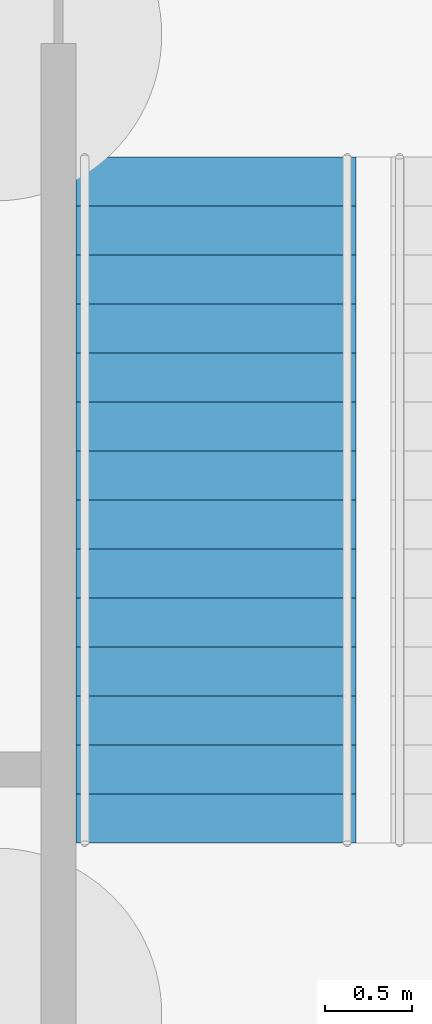
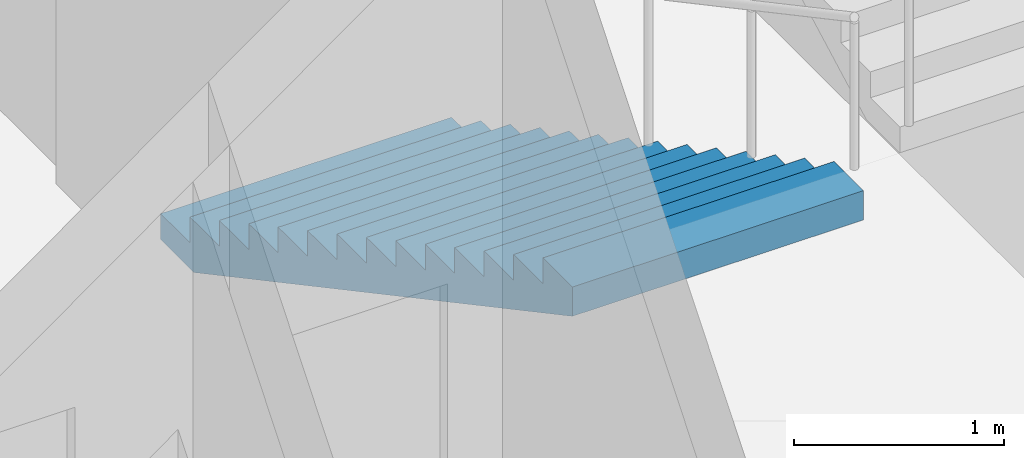
# One storey, part 100 of 113: 1 stair flight, 1 element without a shape of its own.
"""IFC4 building model written with IfcOpenShell, lengths in metres."""

from ifc_helpers import new_model, si_unit, direction, frame, origin, place, context, subcontext, project, spatial, triangles, material, type_object, element, aggregate, save


model = new_model("IFC4")

# Units and contexts
model_context = context("Model", 3, precision=1e-05, world=origin(), true_north=direction((0.0, 1.0)))
body_context = subcontext(model_context, "Body", "Model", "MODEL_VIEW")
ifc_project = project(units=[si_unit("LENGTHUNIT", "METRE"), si_unit("AREAUNIT", "SQUARE_METRE"), si_unit("VOLUMEUNIT", "CUBIC_METRE"), si_unit("PLANEANGLEUNIT", "RADIAN"), si_unit("MASSUNIT", "GRAM", prefix="KILO")], contexts=[model_context])

# Site, building, storey
site_placement = place(None, origin())
site = spatial("IfcSite", under=ifc_project, at=site_placement, CompositionType="ELEMENT")
building_placement = place(site_placement, origin())
building = spatial("IfcBuilding", under=site, at=building_placement, Name="Hakoniwa Tower and Hamabe Station Hall", CompositionType="ELEMENT")
storey_placement = place(building_placement, origin())
storey = spatial("IfcBuildingStorey", under=building, at=storey_placement, Name="L01", CompositionType="ELEMENT", Elevation=0.0)

# Stair, stair flight
ifc_material_1 = material(Name="Concrete C40", Category="concrete")
stair_type = type_object("IfcStairType", Name="STAIR 1600 15X150", PredefinedType="HALF_TURN_STAIR", material=ifc_material_1)
stair_placement = place(storey_placement, origin())
stair = element("IfcStair", 1, at=stair_placement, inside=storey, type_object=stair_type, Name="Escape stair SS4 L01", PredefinedType="HALF_TURN_STAIR")
ifc_material_2 = material(Name="Concrete C40", Category="concrete")
stair_flight_type = type_object("IfcStairFlightType", Name="STAIR FLIGHT 1600", PredefinedType="STRAIGHT", material=ifc_material_2)
stair_flight_placement = place(storey_placement, frame((165.85009765625, -16.89990234375, 0.0), z_axis=(0.0, 0.0, 1.0), x_axis=(0.0, -1.0, 0.0)))
stair_flight = element("IfcStairFlight", 2, at=stair_flight_placement, type_object=stair_flight_type, Name="SS4 flight 1", NumberOfRisers=15, NumberOfTreads=14, PredefinedType="STRAIGHT", RiserHeight=0.15, TreadLength=0.28, context=body_context, shape_type="Tessellation", body=[
    triangles([(0.0, 0.800048828125, 0.0), (0.280029296875, 0.800048828125, 0.0), (0.3173828125, 0.800048828125, 0.0), (0.56005859375, 0.800048828125, 0.1298828125), (0.840087890625, 0.800048828125, 0.280029296875), (1.1201171875, 0.800048828125, 0.429931640625), (1.39990234375, 0.800048828125, 0.579833984375), (1.679931640625, 0.800048828125, 0.72998046875), (1.9599609375, 0.800048828125, 0.8798828125), (2.239990234375, 0.800048828125, 1.030029296875), (2.52001953125, 0.800048828125, 1.179931640625), (2.800048828125, 0.800048828125, 1.329833984375), (3.080078125, 0.800048828125, 1.47998046875), (3.360107421875, 0.800048828125, 1.6298828125), (3.639892578125, 0.800048828125, 1.780029296875), (3.919921875, 0.800048828125, 1.929931640625), (3.919921875, 0.800048828125, 2.10009765625), (3.639892578125, 0.800048828125, 2.10009765625), (3.639892578125, 0.800048828125, 1.949951171875), (3.360107421875, 0.800048828125, 1.949951171875), (3.360107421875, 0.800048828125, 1.800048828125), (3.080078125, 0.800048828125, 1.800048828125), (3.080078125, 0.800048828125, 1.64990234375), (2.800048828125, 0.800048828125, 1.64990234375), (2.800048828125, 0.800048828125, 1.5), (2.52001953125, 0.800048828125, 1.5), (2.52001953125, 0.800048828125, 1.35009765625), (2.239990234375, 0.800048828125, 1.35009765625), (2.239990234375, 0.800048828125, 1.199951171875), (1.9599609375, 0.800048828125, 1.199951171875), (1.9599609375, 0.800048828125, 1.050048828125), (1.679931640625, 0.800048828125, 1.050048828125), (1.679931640625, 0.800048828125, 0.89990234375), (1.39990234375, 0.800048828125, 0.89990234375), (1.39990234375, 0.800048828125, 0.75), (1.1201171875, 0.800048828125, 0.75), (1.1201171875, 0.800048828125, 0.60009765625), (0.840087890625, 0.800048828125, 0.60009765625), (0.840087890625, 0.800048828125, 0.449951171875), (0.56005859375, 0.800048828125, 0.449951171875), (0.56005859375, 0.800048828125, 0.300048828125), (0.3173828125, 0.800048828125, 0.300048828125), (0.280029296875, 0.800048828125, 0.300048828125), (0.280029296875, 0.800048828125, 0.14990234375), (0.0, 0.800048828125, 0.14990234375), (0.0, 0.06005859375, 0.0), (0.280029296875, 0.06005859375, 0.0), (0.3173828125, 0.06005859375, 0.0), (0.56005859375, 0.06005859375, 0.1298828125), (0.840087890625, 0.06005859375, 0.280029296875), (1.1201171875, 0.06005859375, 0.429931640625), (1.39990234375, 0.06005859375, 0.579833984375), (1.679931640625, 0.06005859375, 0.72998046875), (1.9599609375, 0.06005859375, 0.8798828125), (2.239990234375, 0.06005859375, 1.030029296875), (2.52001953125, 0.06005859375, 1.179931640625), (2.800048828125, 0.06005859375, 1.329833984375), (3.080078125, 0.06005859375, 1.47998046875), (3.360107421875, 0.06005859375, 1.6298828125), (3.639892578125, 0.06005859375, 1.780029296875), (3.919921875, 0.06005859375, 1.929931640625), (3.919921875, 0.06005859375, 2.10009765625), (3.639892578125, 0.06005859375, 2.10009765625), (3.639892578125, 0.06005859375, 1.949951171875), (3.360107421875, 0.06005859375, 1.949951171875), (3.360107421875, 0.06005859375, 1.800048828125), (3.080078125, 0.06005859375, 1.800048828125), (3.080078125, 0.06005859375, 1.64990234375), (2.800048828125, 0.06005859375, 1.64990234375), (2.800048828125, 0.06005859375, 1.5), (2.52001953125, 0.06005859375, 1.5), (2.52001953125, 0.06005859375, 1.35009765625), (2.239990234375, 0.06005859375, 1.35009765625), (2.239990234375, 0.06005859375, 1.199951171875), (1.9599609375, 0.06005859375, 1.199951171875), (1.9599609375, 0.06005859375, 1.050048828125), (1.679931640625, 0.06005859375, 1.050048828125), (1.679931640625, 0.06005859375, 0.89990234375), (1.39990234375, 0.06005859375, 0.89990234375), (1.39990234375, 0.06005859375, 0.75), (1.1201171875, 0.06005859375, 0.75), (1.1201171875, 0.06005859375, 0.60009765625), (0.840087890625, 0.06005859375, 0.60009765625), (0.840087890625, 0.06005859375, 0.449951171875), (0.56005859375, 0.06005859375, 0.449951171875), (0.56005859375, 0.06005859375, 0.300048828125), (0.3173828125, 0.06005859375, 0.300048828125), (0.280029296875, 0.06005859375, 0.300048828125), (0.280029296875, 0.06005859375, 0.14990234375), (0.0, 0.06005859375, 0.14990234375), (0.0, 0.02001953125, 0.0), (0.280029296875, 0.02001953125, 0.0), (0.3173828125, 0.02001953125, 0.0), (0.56005859375, 0.02001953125, 0.1298828125), (0.840087890625, 0.02001953125, 0.280029296875), (1.1201171875, 0.02001953125, 0.429931640625), (1.39990234375, 0.02001953125, 0.579833984375), (1.679931640625, 0.02001953125, 0.72998046875), (1.9599609375, 0.02001953125, 0.8798828125), (2.239990234375, 0.02001953125, 1.030029296875), (2.52001953125, 0.02001953125, 1.179931640625), (2.800048828125, 0.02001953125, 1.329833984375), (3.080078125, 0.02001953125, 1.47998046875), (3.360107421875, 0.02001953125, 1.6298828125), (3.639892578125, 0.02001953125, 1.780029296875), (3.919921875, 0.02001953125, 1.929931640625), (3.919921875, 0.02001953125, 2.10009765625), (3.639892578125, 0.02001953125, 2.10009765625), (3.639892578125, 0.02001953125, 1.949951171875), (3.360107421875, 0.02001953125, 1.949951171875), (3.360107421875, 0.02001953125, 1.800048828125), (3.080078125, 0.02001953125, 1.800048828125), (3.080078125, 0.02001953125, 1.64990234375), (2.800048828125, 0.02001953125, 1.64990234375), (2.800048828125, 0.02001953125, 1.5), (2.52001953125, 0.02001953125, 1.5), (2.52001953125, 0.02001953125, 1.35009765625), (2.239990234375, 0.02001953125, 1.35009765625), (2.239990234375, 0.02001953125, 1.199951171875), (1.9599609375, 0.02001953125, 1.199951171875), (1.9599609375, 0.02001953125, 1.050048828125), (1.679931640625, 0.02001953125, 1.050048828125), (1.679931640625, 0.02001953125, 0.89990234375), (1.39990234375, 0.02001953125, 0.89990234375), (1.39990234375, 0.02001953125, 0.75), (1.1201171875, 0.02001953125, 0.75), (1.1201171875, 0.02001953125, 0.60009765625), (0.840087890625, 0.02001953125, 0.60009765625), (0.840087890625, 0.02001953125, 0.449951171875), (0.56005859375, 0.02001953125, 0.449951171875), (0.56005859375, 0.02001953125, 0.300048828125), (0.3173828125, 0.02001953125, 0.300048828125), (0.280029296875, 0.02001953125, 0.300048828125), (0.280029296875, 0.02001953125, 0.14990234375), (0.0, 0.02001953125, 0.14990234375), (0.0, -0.02001953125, 0.0), (0.280029296875, -0.02001953125, 0.0), (0.3173828125, -0.02001953125, 0.0), (0.56005859375, -0.02001953125, 0.1298828125), (0.840087890625, -0.02001953125, 0.280029296875), (1.1201171875, -0.02001953125, 0.429931640625), (1.39990234375, -0.02001953125, 0.579833984375), (1.679931640625, -0.02001953125, 0.72998046875), (1.9599609375, -0.02001953125, 0.8798828125), (2.239990234375, -0.02001953125, 1.030029296875), (2.52001953125, -0.02001953125, 1.179931640625), (2.800048828125, -0.02001953125, 1.329833984375), (3.080078125, -0.02001953125, 1.47998046875), (3.360107421875, -0.02001953125, 1.6298828125), (3.639892578125, -0.02001953125, 1.780029296875), (3.919921875, -0.02001953125, 1.929931640625), (3.919921875, -0.02001953125, 2.10009765625), (3.639892578125, -0.02001953125, 2.10009765625), (3.639892578125, -0.02001953125, 1.949951171875), (3.360107421875, -0.02001953125, 1.949951171875), (3.360107421875, -0.02001953125, 1.800048828125), (3.080078125, -0.02001953125, 1.800048828125), (3.080078125, -0.02001953125, 1.64990234375), (2.800048828125, -0.02001953125, 1.64990234375), (2.800048828125, -0.02001953125, 1.5), (2.52001953125, -0.02001953125, 1.5), (2.52001953125, -0.02001953125, 1.35009765625), (2.239990234375, -0.02001953125, 1.35009765625), (2.239990234375, -0.02001953125, 1.199951171875), (1.9599609375, -0.02001953125, 1.199951171875), (1.9599609375, -0.02001953125, 1.050048828125), (1.679931640625, -0.02001953125, 1.050048828125), (1.679931640625, -0.02001953125, 0.89990234375), (1.39990234375, -0.02001953125, 0.89990234375), (1.39990234375, -0.02001953125, 0.75), (1.1201171875, -0.02001953125, 0.75), (1.1201171875, -0.02001953125, 0.60009765625), (0.840087890625, -0.02001953125, 0.60009765625), (0.840087890625, -0.02001953125, 0.449951171875), (0.56005859375, -0.02001953125, 0.449951171875), (0.56005859375, -0.02001953125, 0.300048828125), (0.3173828125, -0.02001953125, 0.300048828125), (0.280029296875, -0.02001953125, 0.300048828125), (0.280029296875, -0.02001953125, 0.14990234375), (0.0, -0.02001953125, 0.14990234375), (0.0, -0.06005859375, 0.0), (0.280029296875, -0.06005859375, 0.0), (0.3173828125, -0.06005859375, 0.0), (0.56005859375, -0.06005859375, 0.1298828125), (0.840087890625, -0.06005859375, 0.280029296875), (1.1201171875, -0.06005859375, 0.429931640625), (1.39990234375, -0.06005859375, 0.579833984375), (1.679931640625, -0.06005859375, 0.72998046875), (1.9599609375, -0.06005859375, 0.8798828125), (2.239990234375, -0.06005859375, 1.030029296875), (2.52001953125, -0.06005859375, 1.179931640625), (2.800048828125, -0.06005859375, 1.329833984375), (3.080078125, -0.06005859375, 1.47998046875), (3.360107421875, -0.06005859375, 1.6298828125), (3.639892578125, -0.06005859375, 1.780029296875), (3.919921875, -0.06005859375, 1.929931640625), (3.919921875, -0.06005859375, 2.10009765625), (3.639892578125, -0.06005859375, 2.10009765625), (3.639892578125, -0.06005859375, 1.949951171875), (3.360107421875, -0.06005859375, 1.949951171875), (3.360107421875, -0.06005859375, 1.800048828125), (3.080078125, -0.06005859375, 1.800048828125), (3.080078125, -0.06005859375, 1.64990234375), (2.800048828125, -0.06005859375, 1.64990234375), (2.800048828125, -0.06005859375, 1.5), (2.52001953125, -0.06005859375, 1.5), (2.52001953125, -0.06005859375, 1.35009765625), (2.239990234375, -0.06005859375, 1.35009765625), (2.239990234375, -0.06005859375, 1.199951171875), (1.9599609375, -0.06005859375, 1.199951171875), (1.9599609375, -0.06005859375, 1.050048828125), (1.679931640625, -0.06005859375, 1.050048828125), (1.679931640625, -0.06005859375, 0.89990234375), (1.39990234375, -0.06005859375, 0.89990234375), (1.39990234375, -0.06005859375, 0.75), (1.1201171875, -0.06005859375, 0.75), (1.1201171875, -0.06005859375, 0.60009765625), (0.840087890625, -0.06005859375, 0.60009765625), (0.840087890625, -0.06005859375, 0.449951171875), (0.56005859375, -0.06005859375, 0.449951171875), (0.56005859375, -0.06005859375, 0.300048828125), (0.3173828125, -0.06005859375, 0.300048828125), (0.280029296875, -0.06005859375, 0.300048828125), (0.280029296875, -0.06005859375, 0.14990234375), (0.0, -0.06005859375, 0.14990234375), (0.0, -0.800048828125, 0.0), (0.280029296875, -0.800048828125, 0.0), (0.3173828125, -0.800048828125, 0.0), (0.56005859375, -0.800048828125, 0.1298828125), (0.840087890625, -0.800048828125, 0.280029296875), (1.1201171875, -0.800048828125, 0.429931640625), (1.39990234375, -0.800048828125, 0.579833984375), (1.679931640625, -0.800048828125, 0.72998046875), (1.9599609375, -0.800048828125, 0.8798828125), (2.239990234375, -0.800048828125, 1.030029296875), (2.52001953125, -0.800048828125, 1.179931640625), (2.800048828125, -0.800048828125, 1.329833984375), (3.080078125, -0.800048828125, 1.47998046875), (3.360107421875, -0.800048828125, 1.6298828125), (3.639892578125, -0.800048828125, 1.780029296875), (3.919921875, -0.800048828125, 1.929931640625), (3.919921875, -0.800048828125, 2.10009765625), (3.639892578125, -0.800048828125, 2.10009765625), (3.639892578125, -0.800048828125, 1.949951171875), (3.360107421875, -0.800048828125, 1.949951171875), (3.360107421875, -0.800048828125, 1.800048828125), (3.080078125, -0.800048828125, 1.800048828125), (3.080078125, -0.800048828125, 1.64990234375), (2.800048828125, -0.800048828125, 1.64990234375), (2.800048828125, -0.800048828125, 1.5), (2.52001953125, -0.800048828125, 1.5), (2.52001953125, -0.800048828125, 1.35009765625), (2.239990234375, -0.800048828125, 1.35009765625), (2.239990234375, -0.800048828125, 1.199951171875), (1.9599609375, -0.800048828125, 1.199951171875), (1.9599609375, -0.800048828125, 1.050048828125), (1.679931640625, -0.800048828125, 1.050048828125), (1.679931640625, -0.800048828125, 0.89990234375), (1.39990234375, -0.800048828125, 0.89990234375), (1.39990234375, -0.800048828125, 0.75), (1.1201171875, -0.800048828125, 0.75), (1.1201171875, -0.800048828125, 0.60009765625), (0.840087890625, -0.800048828125, 0.60009765625), (0.840087890625, -0.800048828125, 0.449951171875), (0.56005859375, -0.800048828125, 0.449951171875), (0.56005859375, -0.800048828125, 0.300048828125), (0.3173828125, -0.800048828125, 0.300048828125), (0.280029296875, -0.800048828125, 0.300048828125), (0.280029296875, -0.800048828125, 0.14990234375), (0.0, -0.800048828125, 0.14990234375)], [[2, 45, 44], [227, 269, 270], [2, 1, 45], [227, 270, 226], [3, 43, 42], [228, 267, 268], [3, 44, 43], [228, 268, 269], [3, 2, 44], [228, 269, 227], [4, 42, 41], [229, 266, 267], [4, 3, 42], [229, 267, 228], [5, 40, 39], [230, 264, 265], [5, 41, 40], [230, 265, 266], [5, 4, 41], [230, 266, 229], [6, 38, 37], [231, 262, 263], [6, 39, 38], [231, 263, 264], [6, 5, 39], [231, 264, 230], [7, 36, 35], [232, 260, 261], [7, 37, 36], [232, 261, 262], [7, 6, 37], [232, 262, 231], [8, 34, 33], [233, 258, 259], [8, 35, 34], [233, 259, 260], [8, 7, 35], [233, 260, 232], [9, 32, 31], [234, 256, 257], [9, 33, 32], [234, 257, 258], [9, 8, 33], [234, 258, 233], [10, 30, 29], [235, 254, 255], [10, 31, 30], [235, 255, 256], [10, 9, 31], [235, 256, 234], [11, 28, 27], [236, 252, 253], [11, 29, 28], [236, 253, 254], [11, 10, 29], [236, 254, 235], [12, 26, 25], [237, 250, 251], [12, 27, 26], [237, 251, 252], [12, 11, 27], [237, 252, 236], [13, 24, 23], [238, 248, 249], [13, 25, 24], [238, 249, 250], [13, 12, 25], [238, 250, 237], [14, 22, 21], [239, 246, 247], [14, 23, 22], [239, 247, 248], [14, 13, 23], [239, 248, 238], [15, 20, 19], [240, 244, 245], [15, 21, 20], [240, 245, 246], [15, 14, 21], [240, 246, 239], [16, 18, 17], [241, 242, 243], [16, 19, 18], [241, 243, 244], [16, 15, 19], [241, 244, 240], [1, 2, 47], [1, 47, 46], [46, 47, 92], [46, 92, 91], [91, 92, 137], [91, 137, 136], [136, 137, 182], [136, 182, 181], [181, 182, 227], [181, 227, 226], [2, 3, 48], [2, 48, 47], [47, 48, 93], [47, 93, 92], [92, 93, 138], [92, 138, 137], [137, 138, 183], [137, 183, 182], [182, 183, 228], [182, 228, 227], [3, 4, 49], [3, 49, 48], [48, 49, 94], [48, 94, 93], [93, 94, 139], [93, 139, 138], [138, 139, 184], [138, 184, 183], [183, 184, 229], [183, 229, 228], [4, 5, 50], [4, 50, 49], [49, 50, 95], [49, 95, 94], [94, 95, 140], [94, 140, 139], [139, 140, 185], [139, 185, 184], [184, 185, 230], [184, 230, 229], [5, 6, 51], [5, 51, 50], [50, 51, 96], [50, 96, 95], [95, 96, 141], [95, 141, 140], [140, 141, 186], [140, 186, 185], [185, 186, 231], [185, 231, 230], [6, 7, 52], [6, 52, 51], [51, 52, 97], [51, 97, 96], [96, 97, 142], [96, 142, 141], [141, 142, 187], [141, 187, 186], [186, 187, 232], [186, 232, 231], [7, 8, 53], [7, 53, 52], [52, 53, 98], [52, 98, 97], [97, 98, 143], [97, 143, 142], [142, 143, 188], [142, 188, 187], [187, 188, 233], [187, 233, 232], [8, 9, 54], [8, 54, 53], [53, 54, 99], [53, 99, 98], [98, 99, 144], [98, 144, 143], [143, 144, 189], [143, 189, 188], [188, 189, 234], [188, 234, 233], [9, 10, 55], [9, 55, 54], [54, 55, 100], [54, 100, 99], [99, 100, 145], [99, 145, 144], [144, 145, 190], [144, 190, 189], [189, 190, 235], [189, 235, 234], [10, 11, 56], [10, 56, 55], [55, 56, 101], [55, 101, 100], [100, 101, 146], [100, 146, 145], [145, 146, 191], [145, 191, 190], [190, 191, 236], [190, 236, 235], [11, 12, 57], [11, 57, 56], [56, 57, 102], [56, 102, 101], [101, 102, 147], [101, 147, 146], [146, 147, 192], [146, 192, 191], [191, 192, 237], [191, 237, 236], [12, 13, 58], [12, 58, 57], [57, 58, 103], [57, 103, 102], [102, 103, 148], [102, 148, 147], [147, 148, 193], [147, 193, 192], [192, 193, 238], [192, 238, 237], [13, 14, 59], [13, 59, 58], [58, 59, 104], [58, 104, 103], [103, 104, 149], [103, 149, 148], [148, 149, 194], [148, 194, 193], [193, 194, 239], [193, 239, 238], [14, 15, 60], [14, 60, 59], [59, 60, 105], [59, 105, 104], [104, 105, 150], [104, 150, 149], [149, 150, 195], [149, 195, 194], [194, 195, 240], [194, 240, 239], [15, 16, 61], [15, 61, 60], [60, 61, 106], [60, 106, 105], [105, 106, 151], [105, 151, 150], [150, 151, 196], [150, 196, 195], [195, 196, 241], [195, 241, 240], [16, 17, 62], [16, 62, 61], [61, 62, 107], [61, 107, 106], [106, 107, 152], [106, 152, 151], [151, 152, 197], [151, 197, 196], [196, 197, 242], [196, 242, 241], [17, 18, 63], [17, 63, 62], [62, 63, 108], [62, 108, 107], [107, 108, 153], [107, 153, 152], [152, 153, 198], [152, 198, 197], [197, 198, 243], [197, 243, 242], [18, 19, 64], [18, 64, 63], [63, 64, 109], [63, 109, 108], [108, 109, 154], [108, 154, 153], [153, 154, 199], [153, 199, 198], [198, 199, 244], [198, 244, 243], [19, 20, 65], [19, 65, 64], [64, 65, 110], [64, 110, 109], [109, 110, 155], [109, 155, 154], [154, 155, 200], [154, 200, 199], [199, 200, 245], [199, 245, 244], [20, 21, 66], [20, 66, 65], [65, 66, 111], [65, 111, 110], [110, 111, 156], [110, 156, 155], [155, 156, 201], [155, 201, 200], [200, 201, 246], [200, 246, 245], [21, 22, 67], [21, 67, 66], [66, 67, 112], [66, 112, 111], [111, 112, 157], [111, 157, 156], [156, 157, 202], [156, 202, 201], [201, 202, 247], [201, 247, 246], [22, 23, 68], [22, 68, 67], [67, 68, 113], [67, 113, 112], [112, 113, 158], [112, 158, 157], [157, 158, 203], [157, 203, 202], [202, 203, 248], [202, 248, 247], [23, 24, 69], [23, 69, 68], [68, 69, 114], [68, 114, 113], [113, 114, 159], [113, 159, 158], [158, 159, 204], [158, 204, 203], [203, 204, 249], [203, 249, 248], [24, 25, 70], [24, 70, 69], [69, 70, 115], [69, 115, 114], [114, 115, 160], [114, 160, 159], [159, 160, 205], [159, 205, 204], [204, 205, 250], [204, 250, 249], [25, 26, 71], [25, 71, 70], [70, 71, 116], [70, 116, 115], [115, 116, 161], [115, 161, 160], [160, 161, 206], [160, 206, 205], [205, 206, 251], [205, 251, 250], [26, 27, 72], [26, 72, 71], [71, 72, 117], [71, 117, 116], [116, 117, 162], [116, 162, 161], [161, 162, 207], [161, 207, 206], [206, 207, 252], [206, 252, 251], [27, 28, 73], [27, 73, 72], [72, 73, 118], [72, 118, 117], [117, 118, 163], [117, 163, 162], [162, 163, 208], [162, 208, 207], [207, 208, 253], [207, 253, 252], [28, 29, 74], [28, 74, 73], [73, 74, 119], [73, 119, 118], [118, 119, 164], [118, 164, 163], [163, 164, 209], [163, 209, 208], [208, 209, 254], [208, 254, 253], [29, 30, 75], [29, 75, 74], [74, 75, 120], [74, 120, 119], [119, 120, 165], [119, 165, 164], [164, 165, 210], [164, 210, 209], [209, 210, 255], [209, 255, 254], [30, 31, 76], [30, 76, 75], [75, 76, 121], [75, 121, 120], [120, 121, 166], [120, 166, 165], [165, 166, 211], [165, 211, 210], [210, 211, 256], [210, 256, 255], [31, 32, 77], [31, 77, 76], [76, 77, 122], [76, 122, 121], [121, 122, 167], [121, 167, 166], [166, 167, 212], [166, 212, 211], [211, 212, 257], [211, 257, 256], [32, 33, 78], [32, 78, 77], [77, 78, 123], [77, 123, 122], [122, 123, 168], [122, 168, 167], [167, 168, 213], [167, 213, 212], [212, 213, 258], [212, 258, 257], [33, 34, 79], [33, 79, 78], [78, 79, 124], [78, 124, 123], [123, 124, 169], [123, 169, 168], [168, 169, 214], [168, 214, 213], [213, 214, 259], [213, 259, 258], [34, 35, 80], [34, 80, 79], [79, 80, 125], [79, 125, 124], [124, 125, 170], [124, 170, 169], [169, 170, 215], [169, 215, 214], [214, 215, 260], [214, 260, 259], [35, 36, 81], [35, 81, 80], [80, 81, 126], [80, 126, 125], [125, 126, 171], [125, 171, 170], [170, 171, 216], [170, 216, 215], [215, 216, 261], [215, 261, 260], [36, 37, 82], [36, 82, 81], [81, 82, 127], [81, 127, 126], [126, 127, 172], [126, 172, 171], [171, 172, 217], [171, 217, 216], [216, 217, 262], [216, 262, 261], [37, 38, 83], [37, 83, 82], [82, 83, 128], [82, 128, 127], [127, 128, 173], [127, 173, 172], [172, 173, 218], [172, 218, 217], [217, 218, 263], [217, 263, 262], [38, 39, 84], [38, 84, 83], [83, 84, 129], [83, 129, 128], [128, 129, 174], [128, 174, 173], [173, 174, 219], [173, 219, 218], [218, 219, 264], [218, 264, 263], [39, 40, 85], [39, 85, 84], [84, 85, 130], [84, 130, 129], [129, 130, 175], [129, 175, 174], [174, 175, 220], [174, 220, 219], [219, 220, 265], [219, 265, 264], [40, 41, 86], [40, 86, 85], [85, 86, 131], [85, 131, 130], [130, 131, 176], [130, 176, 175], [175, 176, 221], [175, 221, 220], [220, 221, 266], [220, 266, 265], [41, 42, 87], [41, 87, 86], [86, 87, 132], [86, 132, 131], [131, 132, 177], [131, 177, 176], [176, 177, 222], [176, 222, 221], [221, 222, 267], [221, 267, 266], [42, 43, 88], [42, 88, 87], [87, 88, 133], [87, 133, 132], [132, 133, 178], [132, 178, 177], [177, 178, 223], [177, 223, 222], [222, 223, 268], [222, 268, 267], [43, 44, 89], [43, 89, 88], [88, 89, 134], [88, 134, 133], [133, 134, 179], [133, 179, 178], [178, 179, 224], [178, 224, 223], [223, 224, 269], [223, 269, 268], [44, 45, 90], [44, 90, 89], [89, 90, 135], [89, 135, 134], [134, 135, 180], [134, 180, 179], [179, 180, 225], [179, 225, 224], [224, 225, 270], [224, 270, 269], [45, 1, 46], [45, 46, 90], [90, 46, 91], [90, 91, 135], [135, 91, 136], [135, 136, 180], [180, 136, 181], [180, 181, 225], [225, 181, 226], [225, 226, 270]], closed=True),
])
aggregate(stair, [stair_flight])

save(model, "model.ifc")
